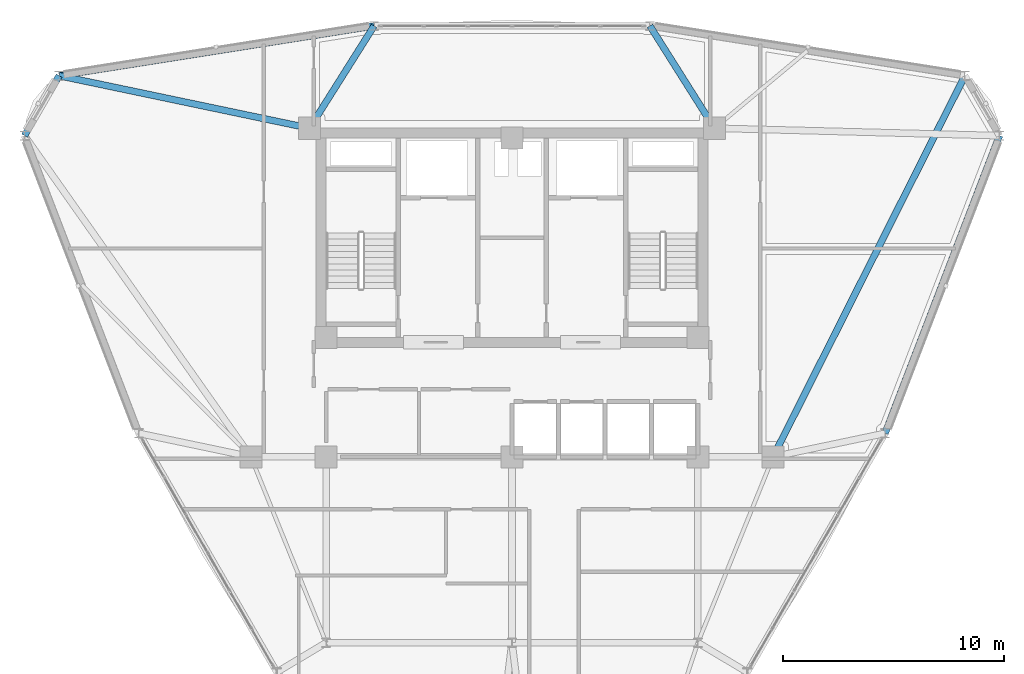
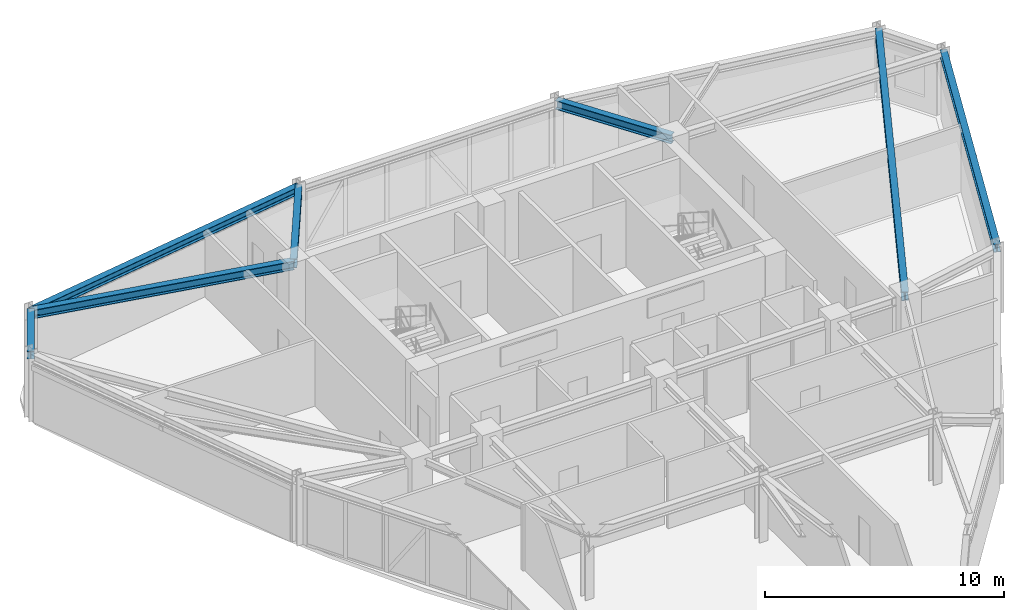
# One storey, part 7 of 14: 7 beams.
"""IFC4 building model written with IfcOpenShell, lengths in metres."""

from ifc_helpers import new_model, si_unit, derived_unit, direction, frame, origin, origin_2d, place, context, subcontext, project, spatial, i_section, extrude, source, transform, mapped, material, material_profile, profile_set, type_object, element, save


model = new_model("IFC4")

# Units and contexts
model_context = context("Model", 3, precision=1e-05, world=origin(), true_north=direction((0.0, 1.0)))
body_context = subcontext(model_context, "Body", "Model", "MODEL_VIEW")
ifc_project = project(units=[si_unit("LENGTHUNIT", "METRE"), si_unit("AREAUNIT", "SQUARE_METRE"), si_unit("VOLUMEUNIT", "CUBIC_METRE"), si_unit("PLANEANGLEUNIT", "RADIAN"), si_unit("MASSUNIT", "GRAM", prefix="KILO"), derived_unit("THERMALTRANSMITTANCEUNIT", [(si_unit("POWERUNIT", "WATT"), 1), (si_unit("LENGTHUNIT", "METRE"), -2), (si_unit("THERMODYNAMICTEMPERATUREUNIT", "KELVIN"), -1)])], contexts=[model_context])

# Site, building, storey
site_placement = place(None, origin())
site = spatial("IfcSite", under=ifc_project, at=site_placement, CompositionType="ELEMENT")
building_placement = place(site_placement, origin())
building = spatial("IfcBuilding", under=site, at=building_placement, Name="Korsvarv Bourse and Concert Hall", CompositionType="ELEMENT")
storey_placement = place(building_placement, frame((0.0, 0.0, 190.199951171875)))
storey = spatial("IfcBuildingStorey", under=building, at=storey_placement, Name="L49", CompositionType="ELEMENT", Elevation=190.199951171875)

# Beams
ifc_material = material(Name="Steel S355", Category="steel")
ifc_material_profile_1 = material_profile(ifc_material, i_section(OverallWidth=0.300048828125, OverallDepth=0.389892578125, WebThickness=0.010986328125, FlangeThickness=0.01904296875, FilletRadius=0.02099609375, at=origin_2d()), Name="HEA 400")
ifc_profile_set_1 = profile_set([ifc_material_profile_1], Name="Steel S355")
beam_type_1 = type_object("IfcBeamType", Name="BM-HEA400", PredefinedType="BEAM", material=ifc_profile_set_1)
shared_shape_1 = source(origin(), body_context, "Body", "SweptSolid", [
    extrude(i_section(OverallWidth=0.300048828125, OverallDepth=0.389892578125, WebThickness=0.010986328125, FlangeThickness=0.01904296875, FilletRadius=0.02099609375, at=origin_2d()), origin(), (0.0, 0.0, 1.0), 3.12939453125),
])
beam_1_placement = place(storey_placement, frame((15.534423828125, 49.62255859375, 3.205078125), z_axis=(-0.499990325971, -0.866030989016, 0.0), x_axis=(0.866030989016, -0.499990325971, 0.0)))
element("IfcBeam", 1, at=beam_1_placement, inside=storey, type_object=beam_type_1, Name="L49 beam B-11", PredefinedType="BEAM", context=body_context, shape_type="MappedRepresentation", body=[
    mapped(shared_shape_1, transform((0.0, 0.0, 0.0), scale=1.0)),
])
shared_shape_2 = source(origin(), body_context, "Body", "SweptSolid", [
    extrude(i_section(OverallWidth=0.300048828125, OverallDepth=0.389892578125, WebThickness=0.010986328125, FlangeThickness=0.01904296875, FilletRadius=0.02099609375, at=origin_2d()), origin(), (0.0, 0.0, 1.0), 14.4091796875),
])
beam_2_placement = place(storey_placement, frame((29.766845703125, 51.871826171875, 3.205078125), z_axis=(-0.987741112202, -0.156100913728, 0.0), x_axis=(0.156100913728, -0.987741112202, 0.0)))
element("IfcBeam", 2, at=beam_2_placement, inside=storey, type_object=beam_type_1, Name="L49 beam B-11", PredefinedType="BEAM", context=body_context, shape_type="MappedRepresentation", body=[
    mapped(shared_shape_2, transform((0.0, 0.0, 0.0), scale=1.0)),
])
shared_shape_3 = source(origin(), body_context, "Body", "SweptSolid", [
    extrude(i_section(OverallWidth=0.300048828125, OverallDepth=0.389892578125, WebThickness=0.010986328125, FlangeThickness=0.01904296875, FilletRadius=0.02099609375, at=origin_2d()), origin(), (0.0, 0.0, 1.0), 14.408935546875),
])
beam_3_placement = place(storey_placement, frame((52.86181640625, 33.462158203125, 3.205078125), z_axis=(0.35869521437, 0.933454735479, 0.0), x_axis=(-0.933454735479, 0.35869521437, 0.0)))
element("IfcBeam", 3, at=beam_3_placement, inside=storey, type_object=beam_type_1, Name="L49 beam B-11", PredefinedType="BEAM", context=body_context, shape_type="MappedRepresentation", body=[
    mapped(shared_shape_3, transform((0.0, 0.0, 0.0), scale=1.0)),
])
ifc_material_profile_2 = material_profile(ifc_material, i_section(OverallWidth=0.300048828125, OverallDepth=0.449951171875, WebThickness=0.013916015625, FlangeThickness=0.02587890625, FilletRadius=0.02099609375, at=origin_2d()), Name="HEB 450")
ifc_profile_set_2 = profile_set([ifc_material_profile_2], Name="Steel S355")
beam_type_2 = type_object("IfcBeamType", Name="BM-HEB450", PredefinedType="SPANDREL", material=ifc_profile_set_2)
shared_shape_4 = source(origin(), body_context, "Body", "SweptSolid", [
    extrude(i_section(OverallWidth=0.300048828125, OverallDepth=0.449951171875, WebThickness=0.013916015625, FlangeThickness=0.02587890625, FilletRadius=0.02099609375, at=origin_2d()), origin(), (0.0, 0.0, 1.0), 19.27978515625),
])
beam_4_placement = place(storey_placement, frame((56.465576171875, 49.62255859375, 3.175048828125), z_axis=(-0.449461133665, -0.893299887678, 0.0), x_axis=(0.893299887678, -0.449461133665, 0.0)))
element("IfcBeam", 4, at=beam_4_placement, inside=storey, type_object=beam_type_2, Name="L49 beam B-08", PredefinedType="SPANDREL", context=body_context, shape_type="MappedRepresentation", body=[
    mapped(shared_shape_4, transform((0.0, 0.0, 0.0), scale=1.0)),
])
shared_shape_5 = source(origin(), body_context, "Body", "SweptSolid", [
    extrude(i_section(OverallWidth=0.300048828125, OverallDepth=0.449951171875, WebThickness=0.013916015625, FlangeThickness=0.02587890625, FilletRadius=0.02099609375, at=origin_2d()), origin(), (0.0, 0.0, 1.0), 5.46533203125),
])
for number, where, z_axis, x_axis, name in (
    (5, (42.233154296875, 51.871826171875, 3.175048828125), (0.533692109553, -0.845678858788, 0.0), (0.845678858788, 0.533692109553, 0.0), "L49 beam B-08"),
    (6, (29.766845703125, 51.871826171875, 3.175048828125), (-0.533692109553, -0.845678858788, 0.0), (0.845678858788, -0.533692109553, 0.0), "L49 beam B-08"),
):
    element("IfcBeam", number, at=place(storey_placement, frame(where, z_axis=z_axis, x_axis=x_axis)), inside=storey, type_object=beam_type_2, Name=name, PredefinedType="SPANDREL", context=body_context, shape_type="MappedRepresentation", body=[
        mapped(shared_shape_5, transform((0.0, 0.0, 0.0), scale=1.0)),
    ])
shared_shape_6 = source(origin(), body_context, "Body", "SweptSolid", [
    extrude(i_section(OverallWidth=0.300048828125, OverallDepth=0.449951171875, WebThickness=0.013916015625, FlangeThickness=0.02587890625, FilletRadius=0.02099609375, at=origin_2d()), origin(), (0.0, 0.0, 1.0), 11.561767578125),
])
beam_5_placement = place(storey_placement, frame((15.534423828125, 49.62255859375, 3.175048828125), z_axis=(0.978718386219, -0.20520799321, 0.0), x_axis=(0.20520799321, 0.978718386219, 0.0)))
element("IfcBeam", 7, at=beam_5_placement, inside=storey, type_object=beam_type_2, Name="L49 beam B-08", PredefinedType="SPANDREL", context=body_context, shape_type="MappedRepresentation", body=[
    mapped(shared_shape_6, transform((0.0, 0.0, 0.0), scale=1.0)),
])

save(model, "model.ifc")
